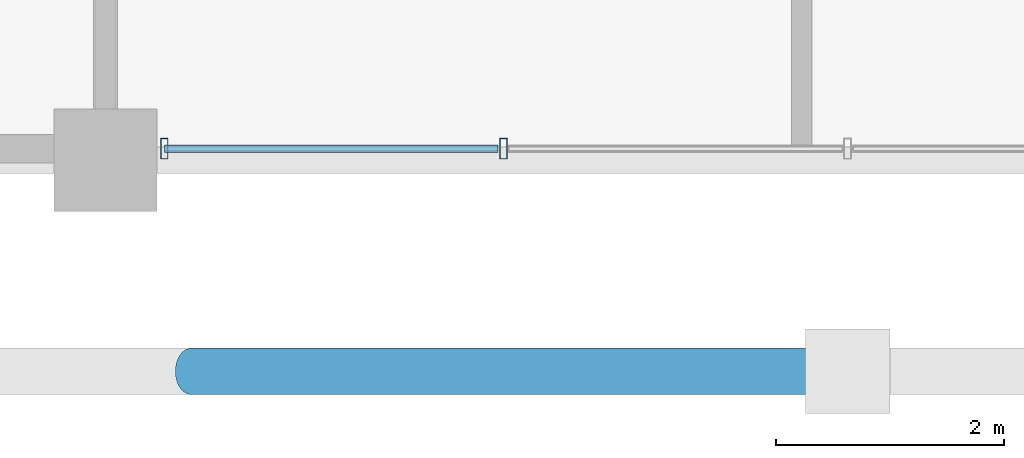
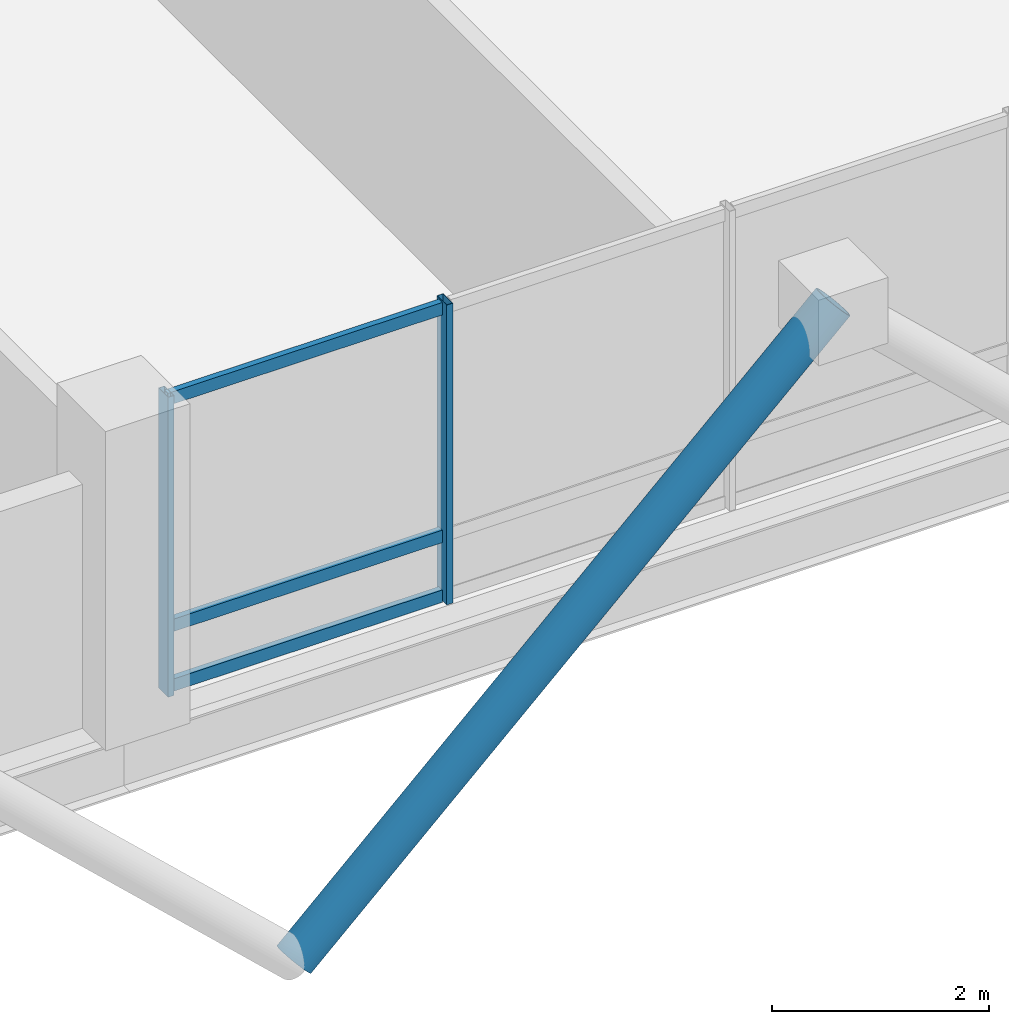
# One storey, part 2 of 23: 6 members, 1 element without a shape of its own.
"""IFC4 building model written with IfcOpenShell, lengths in metres."""

from ifc_helpers import new_model, si_unit, direction, frame, origin, origin_2d, place, context, subcontext, project, spatial, hollow_rectangle, hollow_circle, extrude, material, layer, layer_set, material_profile, profile_set, type_object, element, aggregate, save


model = new_model("IFC4")

# Units and contexts
model_context = context("Model", 3, precision=1e-05, world=origin(), true_north=direction((0.0, 1.0)))
body_context = subcontext(model_context, "Body", "Model", "MODEL_VIEW")
ifc_project = project(units=[si_unit("LENGTHUNIT", "METRE"), si_unit("AREAUNIT", "SQUARE_METRE"), si_unit("VOLUMEUNIT", "CUBIC_METRE"), si_unit("PLANEANGLEUNIT", "RADIAN"), si_unit("MASSUNIT", "GRAM", prefix="KILO")], contexts=[model_context])

# Site, building, storey
site_placement = place(None, origin())
site = spatial("IfcSite", under=ifc_project, at=site_placement, CompositionType="ELEMENT")
building_placement = place(site_placement, origin())
building = spatial("IfcBuilding", under=site, at=building_placement, Name="Barlavira Tower and Art Museum", CompositionType="ELEMENT")
storey_placement = place(building_placement, frame((0.0, 0.0, 279.89990234375)))
storey = spatial("IfcBuildingStorey", under=building, at=storey_placement, Name="L73", CompositionType="ELEMENT", Elevation=279.89990234375)

# Curtain wall, members
ifc_material_1 = material(Name="Low-iron coastal laminated glass", Category="glass")
ifc_layer = layer(ifc_material_1, 0.2099609375, Name="Low-iron coastal laminated glass")
ifc_layer_set = layer_set([ifc_layer], Name="Low-iron coastal laminated glass")
curtain_wall_type = type_object("IfcCurtainWallType", Name="Pale-Metal Unitised Curtain Wall Zone 4", PredefinedType="NOTDEFINED", material=ifc_layer_set)
curtain_wall_placement = place(storey_placement, origin())
curtain_wall = element("IfcCurtainWall", 1, at=curtain_wall_placement, inside=storey, type_object=curtain_wall_type, Name="L73 Curtain Wall CW4-L73-S-B2", PredefinedType="NOTDEFINED")
ifc_material_2 = material(Name="Pale anodised aluminium", Category="aluminium")
ifc_material_profile_1 = material_profile(ifc_material_2, hollow_rectangle(XDim=0.06494140625, YDim=0.179931640625, WallThickness=0.00390625, at=origin_2d()), Name="ALU-MULL 65x180x4")
ifc_profile_set_1 = profile_set([ifc_material_profile_1], Name="Pale anodised aluminium")
member_type_1 = type_object("IfcMemberType", Name="Curtain Wall Pale-Metal Mullion 65x180", PredefinedType="MULLION", material=ifc_profile_set_1)
member_1_placement = place(storey_placement, frame((-5.985107421875, -19.89990234375, 0.0), z_axis=(0.0, 0.0, 1.0), x_axis=(1.0, 0.0, 0.0)))
member_1 = element("IfcMember", 2, at=member_1_placement, type_object=member_type_1, Name="CW4-L73-S-B2 Mullion 0", PredefinedType="MULLION", context=body_context, shape_type="SweptSolid", body=[
    extrude(hollow_rectangle(XDim=0.06494140625, YDim=0.179931640625, WallThickness=0.00390625, at=origin_2d()), origin(), (0.0, 0.0, 1.0), 3.380126953125),
])
member_2_placement = place(storey_placement, frame((-3.014892578125, -19.89990234375, 0.0), z_axis=(0.0, 0.0, 1.0), x_axis=(1.0, 0.0, 0.0)))
member_2 = element("IfcMember", 3, at=member_2_placement, type_object=member_type_1, Name="CW4-L73-S-B2 Mullion 1", PredefinedType="MULLION", context=body_context, shape_type="SweptSolid", body=[
    extrude(hollow_rectangle(XDim=0.06494140625, YDim=0.179931640625, WallThickness=0.00390625, at=origin_2d()), origin(), (0.0, 0.0, 1.0), 3.380126953125),
])
ifc_material_profile_2 = material_profile(ifc_material_2, hollow_rectangle(XDim=0.06494140625, YDim=0.139892578125, WallThickness=0.00390625, at=origin_2d()), Name="ALU-TRAN 65x140x4")
ifc_profile_set_2 = profile_set([ifc_material_profile_2], Name="Pale anodised aluminium")
member_type_2 = type_object("IfcMemberType", Name="Curtain Wall Pale-Metal Transom 65x140", PredefinedType="USERDEFINED", material=ifc_profile_set_2)
member_3_placement = place(storey_placement, frame((-5.985107421875, -19.89990234375, 0.070068359375), z_axis=(1.0, 0.0, 0.0), x_axis=(0.0, 1.0, 0.0)))
member_3 = element("IfcMember", 4, at=member_3_placement, type_object=member_type_2, Name="CW4-L73-S-B2 Transom 0.1", ObjectType="TRANSOM", PredefinedType="USERDEFINED", context=body_context, shape_type="SweptSolid", body=[
    extrude(hollow_rectangle(XDim=0.06494140625, YDim=0.139892578125, WallThickness=0.00390625, at=origin_2d()), origin(), (0.0, 0.0, 1.0), 2.925048828125),
])
member_4_placement = place(storey_placement, frame((-5.985107421875, -19.89990234375, 0.744140625), z_axis=(1.0, 0.0, 0.0), x_axis=(0.0, 1.0, 0.0)))
member_4 = element("IfcMember", 5, at=member_4_placement, type_object=member_type_2, Name="CW4-L73-S-B2 Transom 0.2", ObjectType="TRANSOM", PredefinedType="USERDEFINED", context=body_context, shape_type="SweptSolid", body=[
    extrude(hollow_rectangle(XDim=0.06494140625, YDim=0.139892578125, WallThickness=0.00390625, at=origin_2d()), origin(), (0.0, 0.0, 1.0), 2.925048828125),
])
member_5_placement = place(storey_placement, frame((-5.985107421875, -19.89990234375, 3.31005859375), z_axis=(1.0, 0.0, 0.0), x_axis=(0.0, 1.0, 0.0)))
member_5 = element("IfcMember", 6, at=member_5_placement, type_object=member_type_2, Name="CW4-L73-S-B2 Transom 0.3", ObjectType="TRANSOM", PredefinedType="USERDEFINED", context=body_context, shape_type="SweptSolid", body=[
    extrude(hollow_rectangle(XDim=0.06494140625, YDim=0.139892578125, WallThickness=0.00390625, at=origin_2d()), origin(), (0.0, 0.0, 1.0), 2.925048828125),
])
aggregate(curtain_wall, [member_1, member_2, member_3, member_4, member_5])

# Member
ifc_material_3 = material(Name="Steel S355", Category="steel")
ifc_material_profile_3 = material_profile(ifc_material_3, hollow_circle(Radius=0.203125, WallThickness=0.01611328125, at=origin_2d()), Name="CHS 406.4x16.0")
ifc_profile_set_3 = profile_set([ifc_material_profile_3], Name="Steel S355")
member_type_3 = type_object("IfcMemberType", Name="Pale-Metal Exoskeleton Diagrid Tube CHS 406x16 Steel S355", PredefinedType="BRACE", material=ifc_profile_set_3)
member_6_placement = place(storey_placement, frame((-5.75, -21.85009765625, -1.919921875), z_axis=(0.728950095515, 0.0, 0.684566839869), x_axis=(0.0, 1.0, 0.0)))
element("IfcMember", 7, at=member_6_placement, inside=storey, type_object=member_type_3, Name="L73 Exoskeleton Diagrid Tube S", PredefinedType="BRACE", context=body_context, shape_type="SweptSolid", body=[
    extrude(hollow_circle(Radius=0.203125, WallThickness=0.01611328125, at=origin_2d()), origin(), (0.0, 0.0, 1.0), 7.887939453125),
])

save(model, "model.ifc")
